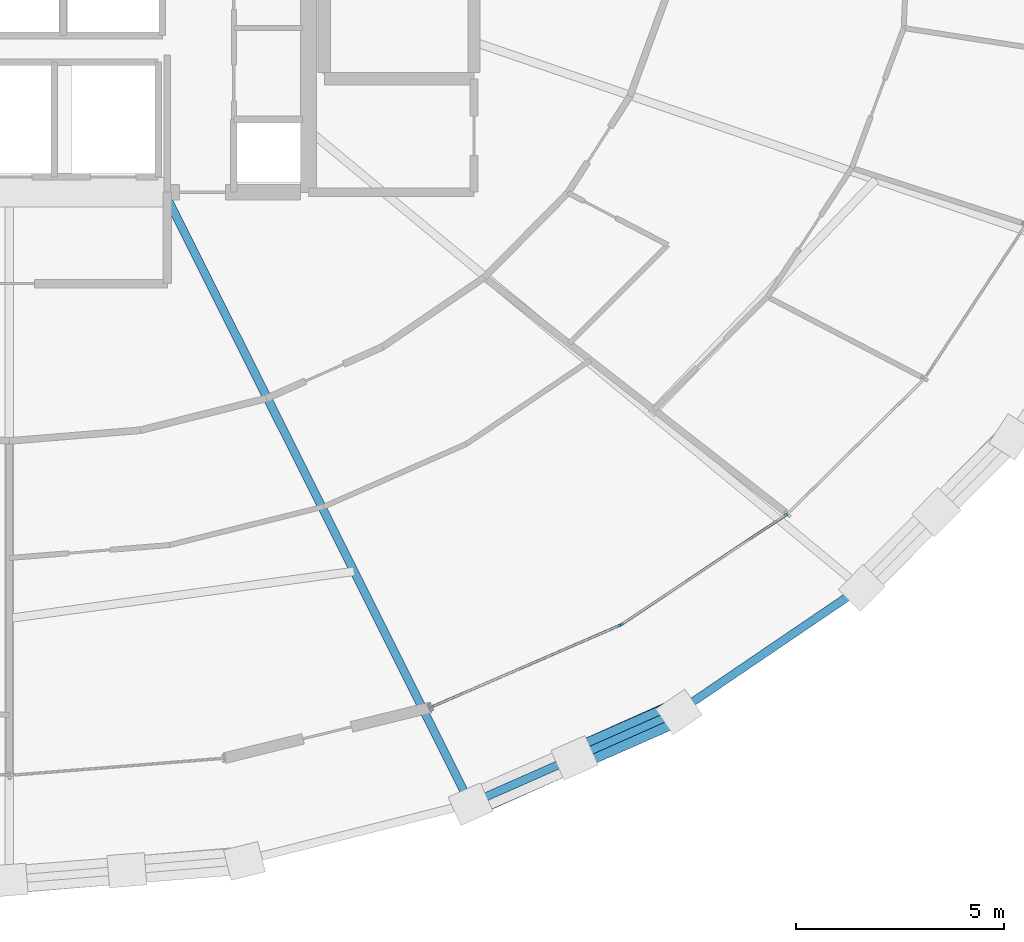
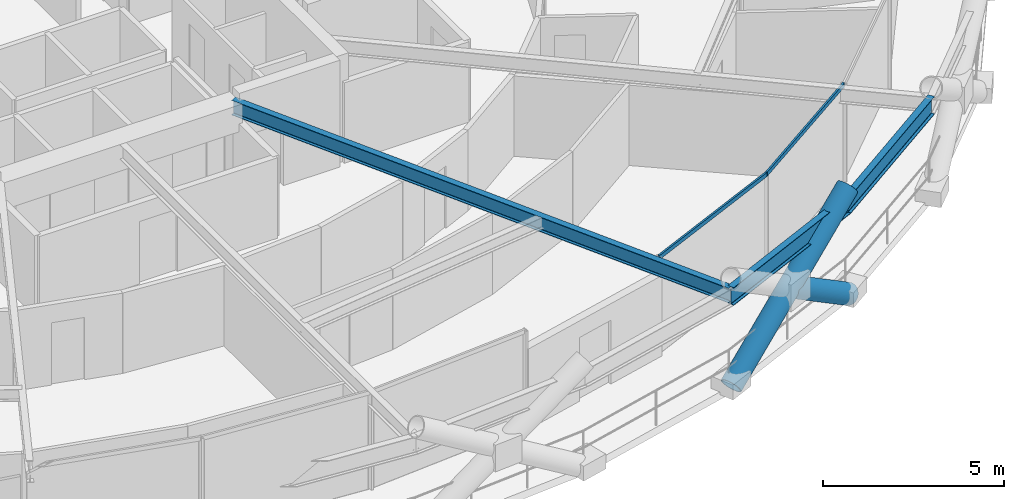
# One storey, part 7 of 22: 4 members, 3 beams, 1 element without a shape of its own.
"""IFC4 building model written with IfcOpenShell, lengths in metres."""

from ifc_helpers import new_model, si_unit, direction, frame, origin, origin_2d, place, context, subcontext, project, spatial, hollow_rectangle, hollow_circle, i_section, extrude, material, layer, layer_set, material_profile, profile_set, type_object, element, aggregate, save


model = new_model("IFC4")

# Units and contexts
model_context = context("Model", 3, precision=1e-05, world=origin(), true_north=direction((0.0, 1.0)))
body_context = subcontext(model_context, "Body", "Model", "MODEL_VIEW")
ifc_project = project(units=[si_unit("LENGTHUNIT", "METRE"), si_unit("AREAUNIT", "SQUARE_METRE"), si_unit("VOLUMEUNIT", "CUBIC_METRE"), si_unit("PLANEANGLEUNIT", "RADIAN"), si_unit("MASSUNIT", "GRAM", prefix="KILO")], contexts=[model_context])

# Site, building, storey
site_placement = place(None, origin())
site = spatial("IfcSite", under=ifc_project, at=site_placement, CompositionType="ELEMENT")
building_placement = place(site_placement, origin())
building = spatial("IfcBuilding", under=site, at=building_placement, Name="Veldorina Hangang Commons", CompositionType="ELEMENT")
storey_placement = place(building_placement, frame((0.0, 0.0, 80.800048828125)))
storey = spatial("IfcBuildingStorey", under=building, at=storey_placement, Name="L20", CompositionType="ELEMENT", Elevation=80.800048828125)

# Beams
ifc_material_1 = material(Name="Steel SM420-TMC", Category="steel")
ifc_material_profile_1 = material_profile(ifc_material_1, i_section(OverallWidth=0.199951171875, OverallDepth=0.5, WebThickness=0.010009765625, FlangeThickness=0.01611328125, FilletRadius=0.01611328125, at=origin_2d()), Name="H-500x200x10x16")
ifc_profile_set_1 = profile_set([ifc_material_profile_1], Name="Steel SM420-TMC")
beam_type_1 = type_object("IfcBeamType", Name="BM-FG500", PredefinedType="BEAM", material=ifc_profile_set_1)
beam_1_placement = place(storey_placement, frame((35.728515625, 16.550048828125, 3.08984375), z_axis=(0.447540053127, -0.894263887701, 0.0), x_axis=(0.894263887701, 0.447540053127, 0.0)))
element("IfcBeam", 1, at=beam_1_placement, inside=storey, type_object=beam_type_1, Name="L20 radial floor girder 14", PredefinedType="BEAM", context=body_context, shape_type="SweptSolid", body=[
    extrude(i_section(OverallWidth=0.199951171875, OverallDepth=0.5, WebThickness=0.010009765625, FlangeThickness=0.01611328125, FilletRadius=0.01611328125, at=origin_2d()), origin(), (0.0, 0.0, 1.0), 16.451171875),
])
ifc_material_profile_2 = material_profile(ifc_material_1, i_section(OverallWidth=0.199951171875, OverallDepth=0.60009765625, WebThickness=0.010986328125, FlangeThickness=0.01708984375, FilletRadius=0.01806640625, at=origin_2d()), Name="H-600x200x11x17")
ifc_profile_set_2 = profile_set([ifc_material_profile_2], Name="Steel SM420-TMC")
beam_type_2 = type_object("IfcBeamType", Name="BM-RB600", PredefinedType="BEAM", material=ifc_profile_set_2)
beam_2_placement = place(storey_placement, frame((43.091064453125, 1.83837890625, 3.0400390625), z_axis=(0.914501099658, 0.404583413803, 0.0), x_axis=(-0.404583413803, 0.914501099658, 0.0)))
element("IfcBeam", 2, at=beam_2_placement, inside=storey, type_object=beam_type_2, Name="L20 perimeter hoop ring beam 26", PredefinedType="BEAM", context=body_context, shape_type="SweptSolid", body=[
    extrude(i_section(OverallWidth=0.199951171875, OverallDepth=0.60009765625, WebThickness=0.010986328125, FlangeThickness=0.01708984375, FilletRadius=0.01806640625, at=origin_2d()), origin(), (0.0, 0.0, 1.0), 5.479248046875),
])
beam_3_placement = place(storey_placement, frame((48.101806640625, 4.05517578125, 3.0400390625), z_axis=(0.82722233744, 0.561874723084, 0.0), x_axis=(-0.561874723084, 0.82722233744, 0.0)))
element("IfcBeam", 3, at=beam_3_placement, inside=storey, type_object=beam_type_2, Name="L20 perimeter hoop ring beam 27", PredefinedType="BEAM", context=body_context, shape_type="SweptSolid", body=[
    extrude(i_section(OverallWidth=0.199951171875, OverallDepth=0.60009765625, WebThickness=0.010986328125, FlangeThickness=0.01708984375, FilletRadius=0.01806640625, at=origin_2d()), origin(), (0.0, 0.0, 1.0), 5.308837890625),
])

# Curtain wall, members
ifc_material_2 = material(Name="Glass Low-E Triple IGU", Category="glass")
ifc_layer = layer(ifc_material_2, 0.179931640625)
ifc_layer_set = layer_set([ifc_layer], Name="Glass Low-E Triple IGU")
curtain_wall_type = type_object("IfcCurtainWallType", Name="CW-SYS-Z1", PredefinedType="NOTDEFINED", material=ifc_layer_set)
curtain_wall_placement = place(storey_placement, origin())
curtain_wall = element("IfcCurtainWall", 4, at=curtain_wall_placement, inside=storey, type_object=curtain_wall_type, Name="L20 unitised curtain wall CW-L20-R2", PredefinedType="NOTDEFINED")
ifc_material_3 = material(Name="Aluminium Anodized AA6063-T6", Category="aluminium")
ifc_material_profile_3 = material_profile(ifc_material_3, hollow_rectangle(XDim=0.06005859375, YDim=0.139892578125, WallThickness=0.00341796875, at=origin_2d()), Name="ALU-RHS-140x60x3.5")
ifc_profile_set_3 = profile_set([ifc_material_profile_3], Name="Aluminium Anodized AA6063-T6")
member_type_1 = type_object("IfcMemberType", Name="CW-TRN-140", PredefinedType="USERDEFINED", material=ifc_profile_set_3)
member_1_placement = place(storey_placement, frame((42.133544921875, 4.155029296875, 3.260009765625), z_axis=(0.917474087637, 0.397795548637, 0.0), x_axis=(-0.397795548637, 0.917474087637, 0.0)))
member_1 = element("IfcMember", 5, at=member_1_placement, type_object=member_type_1, Name="CW-L20-R2 facet 1 transom 1", ObjectType="TRANSOM", PredefinedType="USERDEFINED", context=body_context, shape_type="SweptSolid", body=[
    extrude(hollow_rectangle(XDim=0.06005859375, YDim=0.139892578125, WallThickness=0.00341796875, at=origin_2d()), origin(), (0.0, 0.0, 1.0), 4.98974609375),
])
member_2_placement = place(storey_placement, frame((46.71142578125, 6.139892578125, 3.260009765625), z_axis=(0.832408534567, 0.554162459554, 0.0), x_axis=(-0.554162459554, 0.832408534567, 0.0)))
member_2 = element("IfcMember", 6, at=member_2_placement, type_object=member_type_1, Name="CW-L20-R2 facet 2 transom 1", ObjectType="TRANSOM", PredefinedType="USERDEFINED", context=body_context, shape_type="SweptSolid", body=[
    extrude(hollow_rectangle(XDim=0.06005859375, YDim=0.139892578125, WallThickness=0.00341796875, at=origin_2d()), origin(), (0.0, 0.0, 1.0), 4.820556640625),
])
aggregate(curtain_wall, [member_1, member_2])

# Members
ifc_material_4 = material(Name="Steel SM460-TMC", Category="steel")
ifc_material_profile_4 = material_profile(ifc_material_4, hollow_circle(Radius=0.324951171875, WallThickness=0.031982421875, at=origin_2d()), Name="CHS-650x32")
ifc_profile_set_4 = profile_set([ifc_material_profile_4], Name="Steel SM460-TMC")
member_type_2 = type_object("IfcMemberType", Name="DG-CHS650", PredefinedType="BRACE", material=ifc_profile_set_4)
member_3_placement = place(storey_placement, frame((43.097900390625, 1.826904296875, 0.0), z_axis=(0.763223079716, 0.340261597527, 0.549283693402), x_axis=(-0.407188802268, 0.913344009291, 0.0)))
element("IfcMember", 7, at=member_3_placement, inside=storey, type_object=member_type_2, Name="L20 continuous perimeter diagrid brace 26", PredefinedType="BRACE", context=body_context, shape_type="SweptSolid", body=[
    extrude(hollow_circle(Radius=0.324951171875, WallThickness=0.031982421875, at=origin_2d()), origin(), (0.0, 0.0, 1.0), 6.5537109375),
])
member_4_placement = place(storey_placement, frame((48.111572265625, 4.044677734375, 0.0), z_axis=(-0.765538366376, -0.335932133753, 0.548726353584), x_axis=(0.401831721656, -0.915713529151, 0.0)))
element("IfcMember", 8, at=member_4_placement, inside=storey, type_object=member_type_2, Name="L20 split perimeter diagrid lower brace 27", PredefinedType="BRACE", context=body_context, shape_type="SweptSolid", body=[
    extrude(hollow_circle(Radius=0.324951171875, WallThickness=0.031982421875, at=origin_2d()), origin(), (0.0, 0.0, 1.0), 3.28125),
])

save(model, "model.ifc")
